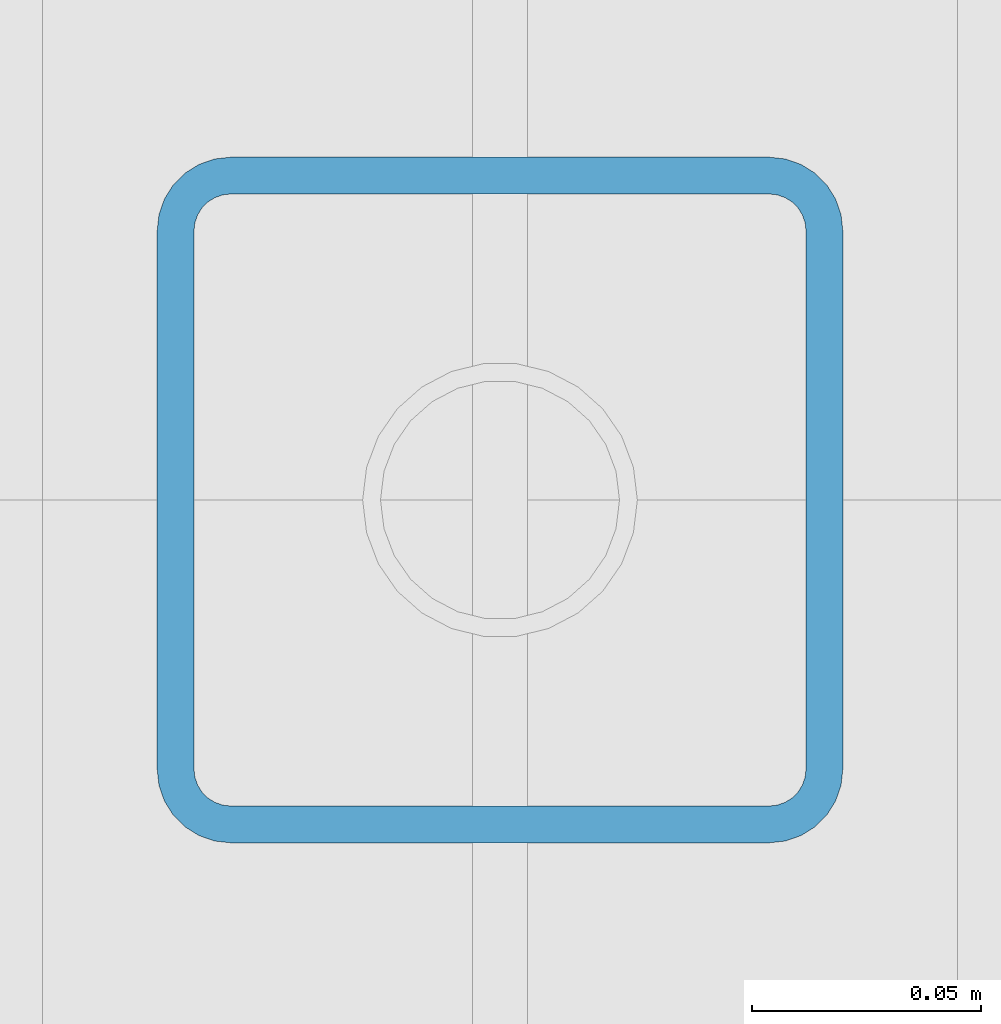
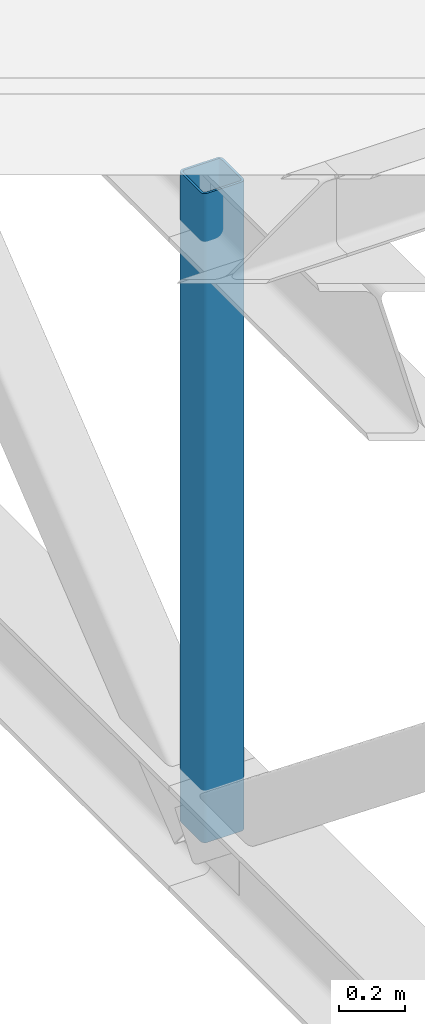
# One storey, part 23 of 55: 1 member.
"""IFC4 building model written with IfcOpenShell, lengths in metres."""

from ifc_helpers import new_model, si_unit, direction, frame, origin, origin_2d, place, context, subcontext, project, spatial, hollow_rectangle, extrude, material, material_profile, profile_set, type_object, element, save


model = new_model("IFC4")

# Units and contexts
model_context = context("Model", 3, precision=1e-05, world=origin(), true_north=direction((0.0, 1.0)))
body_context = subcontext(model_context, "Body", "Model", "MODEL_VIEW")
ifc_project = project(units=[si_unit("LENGTHUNIT", "METRE"), si_unit("AREAUNIT", "SQUARE_METRE"), si_unit("VOLUMEUNIT", "CUBIC_METRE"), si_unit("PLANEANGLEUNIT", "RADIAN"), si_unit("MASSUNIT", "GRAM", prefix="KILO")], contexts=[model_context])

# Site, building, storey
site_placement = place(None, origin())
site = spatial("IfcSite", under=ifc_project, at=site_placement, CompositionType="ELEMENT")
building_placement = place(site_placement, origin())
building = spatial("IfcBuilding", under=site, at=building_placement, Name="Lunette Opera House", CompositionType="ELEMENT")
storey_placement = place(building_placement, frame((0.0, 0.0, 34.0)))
storey = spatial("IfcBuildingStorey", under=building, at=storey_placement, Name="L06", CompositionType="ELEMENT", Elevation=34.0)

# Member
ifc_material = material(Name="Steel S355", Category="steel")
ifc_material_profile = material_profile(ifc_material, hollow_rectangle(XDim=0.14990234375, YDim=0.14990234375, WallThickness=0.008056640625, InnerFilletRadius=0.008056640625, OuterFilletRadius=0.01611328125, at=origin_2d()), Name="RHS 150X150X8")
ifc_profile_set = profile_set([ifc_material_profile], Name="Steel S355")
member_type = type_object("IfcMemberType", Name="VERTICAL RHS 150X150X8", PredefinedType="POST", material=ifc_profile_set)
member_placement = place(storey_placement, frame((102.0, 108.0, -3.06494140625), z_axis=(0.0, 0.0, 1.0), x_axis=(1.0, 0.0, 0.0)))
element("IfcMember", 1, at=member_placement, inside=storey, type_object=member_type, Name="mem-ST-L06-ST-TR03-TV5", PredefinedType="POST", context=body_context, shape_type="SweptSolid", body=[
    extrude(hollow_rectangle(XDim=0.14990234375, YDim=0.14990234375, WallThickness=0.008056640625, InnerFilletRadius=0.008056640625, OuterFilletRadius=0.01611328125, at=origin_2d()), origin(), (0.0, 0.0, 1.0), 2.39990234375),
])

save(model, "model.ifc")
